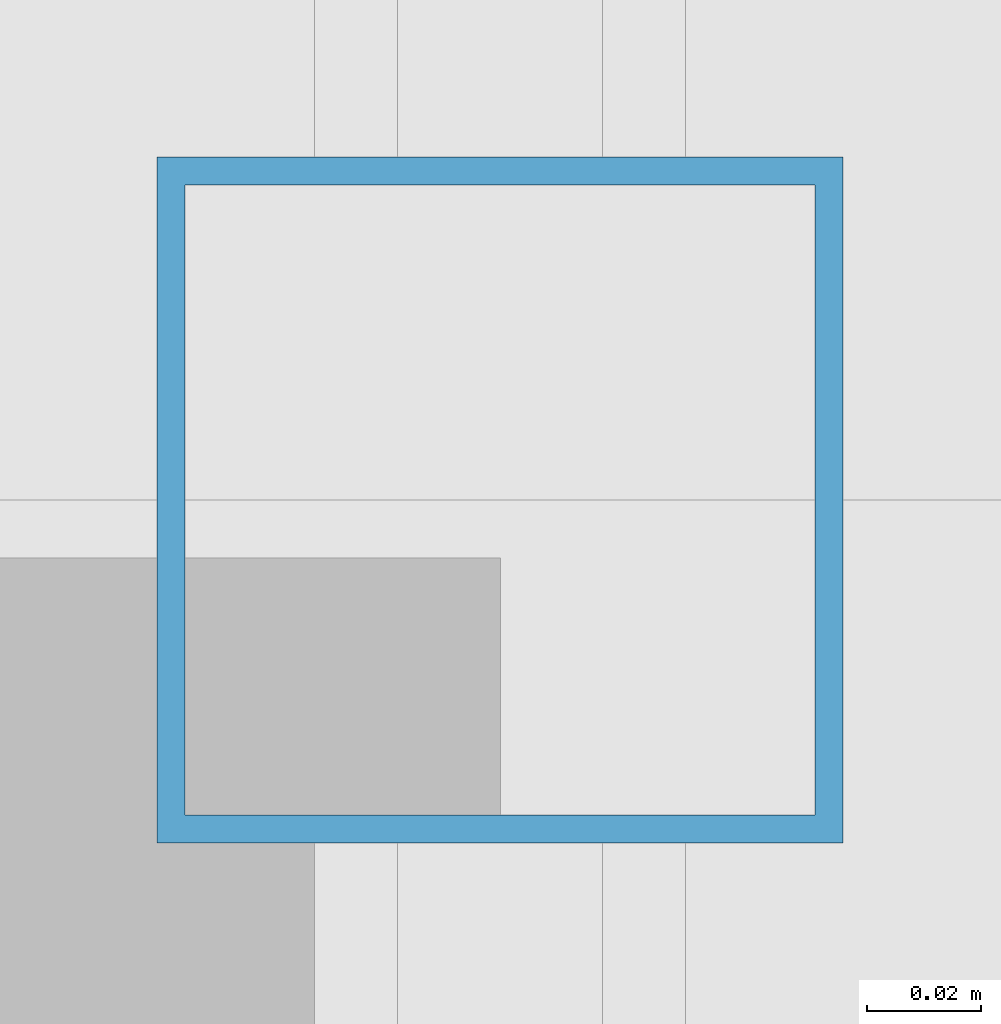
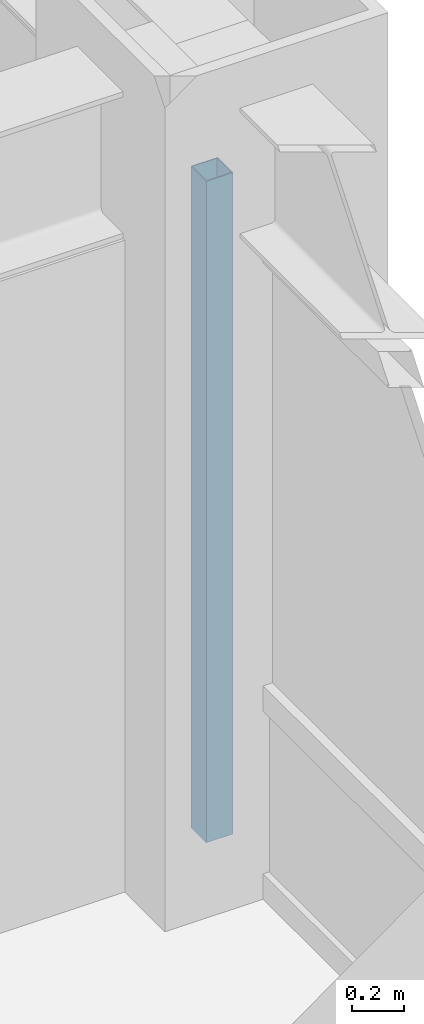
# One storey, part 10 of 25: 1 member, 1 element without a shape of its own.
"""IFC4 building model written with IfcOpenShell, lengths in metres."""

import ifcopenshell
import ifcopenshell.guid

model = None  # the IFC model being written
_history = None  # IfcOwnerHistory: only IFC2X3 demands one
_inside = {}  # id of a spatial element -> (the spatial element, [elements in it])
_under = {}  # id of a project, library or spatial element -> (it, [spatial elements below it])
_declared = {}  # id of a project -> (the project, [libraries it declares])
_typed = {}  # id of a type object -> (the type object, [elements of that type])
_made_of = {}  # id of a material, layer set ... -> (it, [elements and type objects made of it])


def new_model(schema):
    """Start an empty IFC model of exactly this schema.

    Asked for "IFC4X3", IfcOpenShell would pick the latest addendum, in which some entities
    have other attributes; the version numbers below select the first issue.
    IFC2X3 requires an IfcOwnerHistory on every rooted entity: one is made here for all.
    """
    global model, _history
    if schema == "IFC4X3":
        model = ifcopenshell.file(schema_version=(4, 3, 0, 0))
    else:
        model = ifcopenshell.file(schema=schema)
    _inside.clear()
    _under.clear()
    _declared.clear()
    _typed.clear()
    _made_of.clear()
    _history = None
    if model.schema == "IFC2X3":
        org = make("IfcOrganization", Name="unknown")
        user = make(
            "IfcPersonAndOrganization",
            ThePerson=make("IfcPerson", FamilyName="unknown"),
            TheOrganization=org,
        )
        app = make(
            "IfcApplication",
            ApplicationDeveloper=org,
            Version="unknown",
            ApplicationFullName="unknown",
            ApplicationIdentifier="unknown",
        )
        _history = make(
            "IfcOwnerHistory",
            OwningUser=user,
            OwningApplication=app,
            ChangeAction="ADDED",
            CreationDate=0,
        )
    return model


def make(cls, **values):
    """One entity of the class cls with the attributes given. An attribute that is None is left unset."""
    return model.create_entity(
        cls, **{name: value for name, value in values.items() if value is not None}
    )


def rooted(cls, **values):
    """An entity with a GlobalId (a new one), such as an element, a storey or a relation."""
    return make(cls, GlobalId=ifcopenshell.guid.new(), OwnerHistory=_history, **values)


def si_unit(unit_type, name, prefix=None):
    """IfcSIUnit, for example si_unit("LENGTHUNIT", "METRE", prefix="MILLI")."""
    return make("IfcSIUnit", UnitType=unit_type, Prefix=prefix, Name=name)


def assignment(units):
    """IfcUnitAssignment: the units of a project."""
    return None if units is None else make("IfcUnitAssignment", Units=units)


def point(xyz):
    """IfcCartesianPoint."""
    return None if xyz is None else make("IfcCartesianPoint", Coordinates=xyz)


def direction(xyz):
    """IfcDirection."""
    return None if xyz is None else make("IfcDirection", DirectionRatios=xyz)


def frame(location, z_axis=None, x_axis=None):
    """IfcAxis2Placement3D, a coordinate frame: its origin and axes. An axis left out is left unset."""
    return make(
        "IfcAxis2Placement3D",
        Location=point(location),
        Axis=direction(z_axis),
        RefDirection=direction(x_axis),
    )


def frame_2d(location, x_axis=None):
    """IfcAxis2Placement2D, a coordinate frame in the plane: its origin and x axis."""
    return make(
        "IfcAxis2Placement2D", Location=point(location), RefDirection=direction(x_axis)
    )


def origin():
    """The frame at (0, 0, 0) with its axes left unset."""
    return frame((0.0, 0.0, 0.0))


def origin_2d():
    """The frame at (0, 0) in the plane with its x axis left unset."""
    return frame_2d((0.0, 0.0))


def place(relative_to, where):
    """IfcLocalPlacement: puts the frame where relative to a parent placement (None: the world)."""
    return make(
        "IfcLocalPlacement", PlacementRelTo=relative_to, RelativePlacement=where
    )


def context(
    kind, dimensions, precision=None, world=None, true_north=None, identifier=None
):
    """IfcGeometricRepresentationContext, for example the 3D "Model" context."""
    return make(
        "IfcGeometricRepresentationContext",
        ContextIdentifier=identifier,
        ContextType=kind,
        CoordinateSpaceDimension=dimensions,
        Precision=precision,
        WorldCoordinateSystem=world,
        TrueNorth=true_north,
    )


def subcontext(parent, identifier, kind, view, scale=None):
    """IfcGeometricRepresentationSubContext, for example "Body" below "Model"."""
    return make(
        "IfcGeometricRepresentationSubContext",
        ContextIdentifier=identifier,
        ContextType=kind,
        ParentContext=parent,
        TargetScale=scale,
        TargetView=view,
    )


def project(units=None, contexts=None):
    """IfcProject with its units and contexts."""
    return rooted(
        "IfcProject",
        Name="project",
        RepresentationContexts=contexts,
        UnitsInContext=assignment(units),
    )


def spatial(cls, under=None, at=None, **own):
    """A site, building, storey or space (cls), placed at a placement, below another one or the project."""
    s = rooted(cls, ObjectPlacement=at, **own)
    if under is not None:
        _under.setdefault(under.id(), (under, []))[1].append(s)
    return s


def profile(cls, at=None, kind="AREA", **sizes):
    """A parametric profile (cls). Its sizes go by their IFC names, for example OverallWidth=200.0."""
    return make(cls, ProfileType=kind, Position=at, **sizes)


def hollow_rectangle(**sizes):
    """IfcRectangleHollowProfileDef."""
    return profile("IfcRectangleHollowProfileDef", **sizes)


def extrude(swept, where, along, depth):
    """IfcExtrudedAreaSolid: the profile swept, set in the frame where, extruded along a direction by depth."""
    return make(
        "IfcExtrudedAreaSolid",
        SweptArea=swept,
        Position=where,
        ExtrudedDirection=direction(along),
        Depth=depth,
    )


def shape(context_of_items, identifier, shape_type, items):
    """IfcShapeRepresentation: the items that make up one representation, for example the "Body"."""
    return make(
        "IfcShapeRepresentation",
        ContextOfItems=context_of_items,
        RepresentationIdentifier=identifier,
        RepresentationType=shape_type,
        Items=items,
    )


def source(mapping_origin, context_of_items, identifier, shape_type, items):
    """IfcRepresentationMap: a shape defined once, which mapped items show again and again."""
    return make(
        "IfcRepresentationMap",
        MappingOrigin=mapping_origin,
        MappedRepresentation=shape(context_of_items, identifier, shape_type, items),
    )


def transform(
    local_origin,
    x_axis=None,
    y_axis=None,
    z_axis=None,
    scale=None,
    scale2=None,
    scale3=None,
    uniform=True,
):
    """IfcCartesianTransformationOperator3D, or its non-uniform kind. x_axis, y_axis, z_axis: its Axis1, 2, 3."""
    if uniform:
        return make(
            "IfcCartesianTransformationOperator3D",
            Axis1=direction(x_axis),
            Axis2=direction(y_axis),
            LocalOrigin=point(local_origin),
            Scale=scale,
            Axis3=direction(z_axis),
        )
    return make(
        "IfcCartesianTransformationOperator3DnonUniform",
        Axis1=direction(x_axis),
        Axis2=direction(y_axis),
        LocalOrigin=point(local_origin),
        Scale=scale,
        Axis3=direction(z_axis),
        Scale2=scale2,
        Scale3=scale3,
    )


def mapped(mapping_source, mapping_target):
    """IfcMappedItem: shows the shape of a source again, moved by a transform."""
    return make(
        "IfcMappedItem", MappingSource=mapping_source, MappingTarget=mapping_target
    )


def material(Name=None, Category=None):
    """IfcMaterial."""
    return make("IfcMaterial", Name=Name, Category=Category)


def material_profile(
    of_material, cross_section, Name=None, Category=None, Priority=None
):
    """IfcMaterialProfile: a cross section and its material."""
    return make(
        "IfcMaterialProfile",
        Name=Name,
        Material=of_material,
        Profile=cross_section,
        Priority=Priority,
        Category=Category,
    )


def profile_set(profiles, Name=None, composite=None):
    """IfcMaterialProfileSet."""
    return make(
        "IfcMaterialProfileSet",
        Name=Name,
        MaterialProfiles=profiles,
        CompositeProfile=composite,
    )


def made_of(thing, what):
    """Note that an element or type object is made of a material, layer set ...; save() writes the relation."""
    if what is not None:
        _made_of.setdefault(what.id(), (what, []))[1].append(thing)
    return thing


def type_object(cls, material=None, **own):
    """A type object (cls), such as IfcWallType, which elements share."""
    return made_of(rooted(cls, **own), material)


def element(
    cls,
    number,
    at=None,
    inside=None,
    cuts=None,
    type_object=None,
    material=None,
    context=None,
    identifier="Body",
    shape_type=None,
    held_by="IfcProductDefinitionShape",
    body=None,
    shapes=None,
    **own,
):
    """One element of the class cls, such as IfcWall. Its Tag is "e" and its number.

    at: its placement. inside: the storey or other place that contains it. cuts: it is an
    opening in that element (IfcRelVoidsElement). A single representation is given by context,
    identifier, shape_type and body (its items); several are given by shapes. held_by: the class
    of the entity that holds the representations. save() writes the other relations.
    """
    e = rooted(cls, Tag="e%d" % number, ObjectPlacement=at, **own)
    if body is not None:
        shapes = [shape(context, identifier, shape_type, body)]
    if shapes is not None:
        e.Representation = make(held_by, Representations=shapes)
    if inside is not None:
        _inside.setdefault(inside.id(), (inside, []))[1].append(e)
    if cuts is not None:
        rooted(
            "IfcRelVoidsElement", RelatingBuildingElement=cuts, RelatedOpeningElement=e
        )
    if type_object is not None:
        _typed.setdefault(type_object.id(), (type_object, []))[1].append(e)
    return made_of(e, material)


def aggregate(whole, parts):
    """IfcRelAggregates: a whole, such as a stair, and the parts it consists of."""
    return rooted("IfcRelAggregates", RelatingObject=whole, RelatedObjects=parts)


def save(model, path):
    """Write the relations noted so far, then the file.

    IfcRelAggregates (storeys below a building ...), IfcRelContainedInSpatialStructure (elements
    in a storey), IfcRelDefinesByType, IfcRelAssociatesMaterial and IfcRelDeclares: one each for
    every whole, place, type object, material and project.
    """
    for whole, parts in _under.values():
        aggregate(whole, parts)
    for where, things in _inside.values():
        rooted(
            "IfcRelContainedInSpatialStructure",
            RelatedElements=things,
            RelatingStructure=where,
        )
    for kind, things in _typed.values():
        rooted("IfcRelDefinesByType", RelatedObjects=things, RelatingType=kind)
    for what, things in _made_of.values():
        rooted("IfcRelAssociatesMaterial", RelatedObjects=things, RelatingMaterial=what)
    for by, libraries in _declared.values():
        rooted("IfcRelDeclares", RelatingContext=by, RelatedDefinitions=libraries)
    model.write(path)


model = new_model("IFC4")

# Units and contexts
model_context = context("Model", 3, precision=1e-05, world=origin(), true_north=direction((0.0, 1.0)))
body_context = subcontext(model_context, "Body", "Model", "MODEL_VIEW")
ifc_project = project(units=[si_unit("LENGTHUNIT", "METRE"), si_unit("AREAUNIT", "SQUARE_METRE"), si_unit("VOLUMEUNIT", "CUBIC_METRE"), si_unit("PLANEANGLEUNIT", "RADIAN"), si_unit("MASSUNIT", "GRAM", prefix="KILO")], contexts=[model_context])

# Site, building, storey
site_placement = place(None, origin())
site = spatial("IfcSite", under=ifc_project, at=site_placement, CompositionType="ELEMENT")
building_placement = place(site_placement, origin())
building = spatial("IfcBuilding", under=site, at=building_placement, Name="Khorayat Bourse Tower", CompositionType="ELEMENT")
storey_placement = place(building_placement, frame((0.0, 0.0, 247.10009765625)))
storey = spatial("IfcBuildingStorey", under=building, at=storey_placement, Name="L58", CompositionType="ELEMENT", Elevation=247.10009765625)

# Curtain wall, member
ifc_material = material(Name="Aluminium EN AW-6063 T6", Category="aluminium")
curtain_wall_type = type_object("IfcCurtainWallType", Name="CW-SYS-03", PredefinedType="NOTDEFINED", material=ifc_material)
curtain_wall_placement = place(storey_placement, origin())
curtain_wall = element("IfcCurtainWall", 1, at=curtain_wall_placement, inside=storey, type_object=curtain_wall_type, Name="L58 Curtain Wall CW-L58-E1", PredefinedType="NOTDEFINED")
ifc_material_profile = material_profile(ifc_material, hollow_rectangle(XDim=0.1201171875, YDim=0.1201171875, WallThickness=0.0048828125, at=origin_2d()), Name="ALU 120x120x5")
ifc_profile_set = profile_set([ifc_material_profile], Name="Aluminium EN AW-6063 T6")
member_type = type_object("IfcMemberType", Name="CWM-VERT-120", PredefinedType="MULLION", material=ifc_profile_set)
shared_shape = source(origin(), body_context, "Body", "SweptSolid", [
    extrude(hollow_rectangle(XDim=0.1201171875, YDim=0.1201171875, WallThickness=0.0048828125, at=origin_2d()), origin(), (0.0, 0.0, 1.0), 3.1298828125),
])
member_placement = place(storey_placement, frame((30.0, 0.0, 0.0), z_axis=(0.0, 0.0, 1.0), x_axis=(-1.0, 0.0, 0.0)))
member = element("IfcMember", 2, at=member_placement, type_object=member_type, Name="CW-L58-E1 Vertical Mullion 2", PredefinedType="MULLION", context=body_context, shape_type="MappedRepresentation", body=[
    mapped(shared_shape, transform((0.0, 0.0, 0.0), scale=1.0)),
])
aggregate(curtain_wall, [member])

save(model, "model.ifc")
